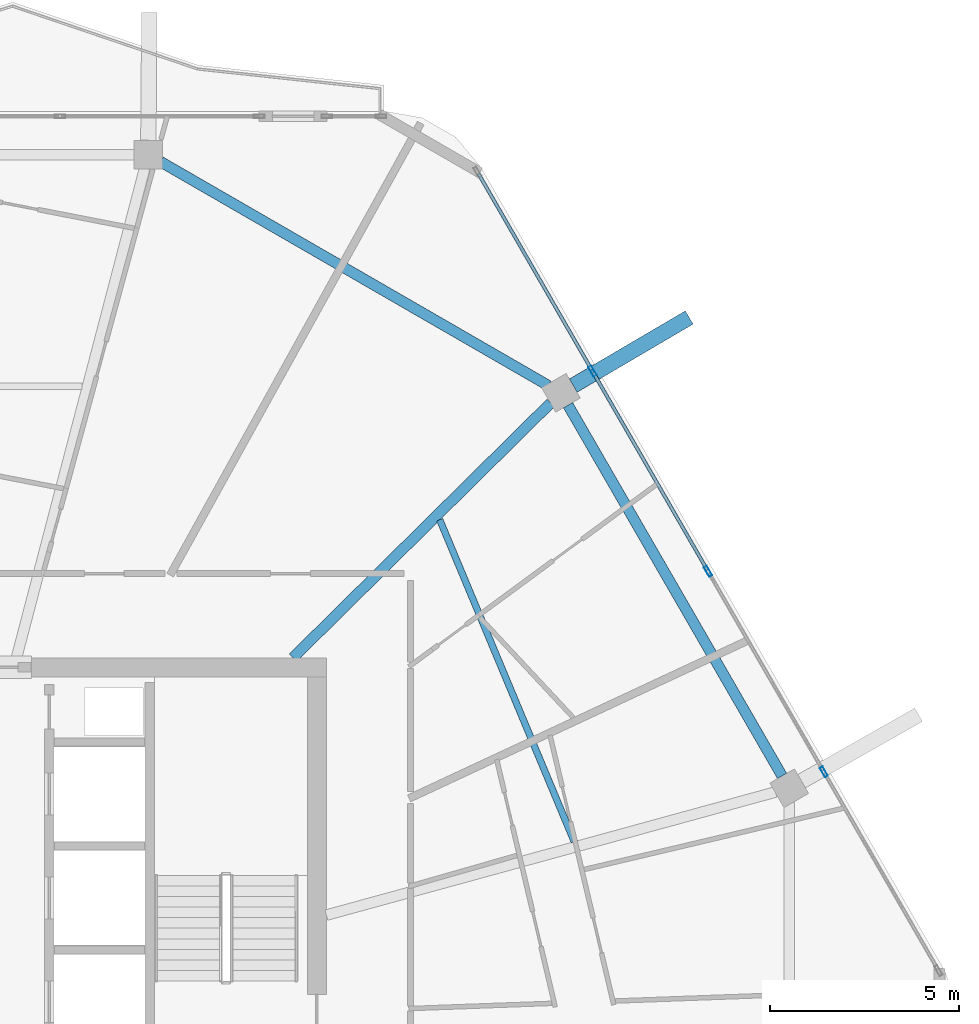
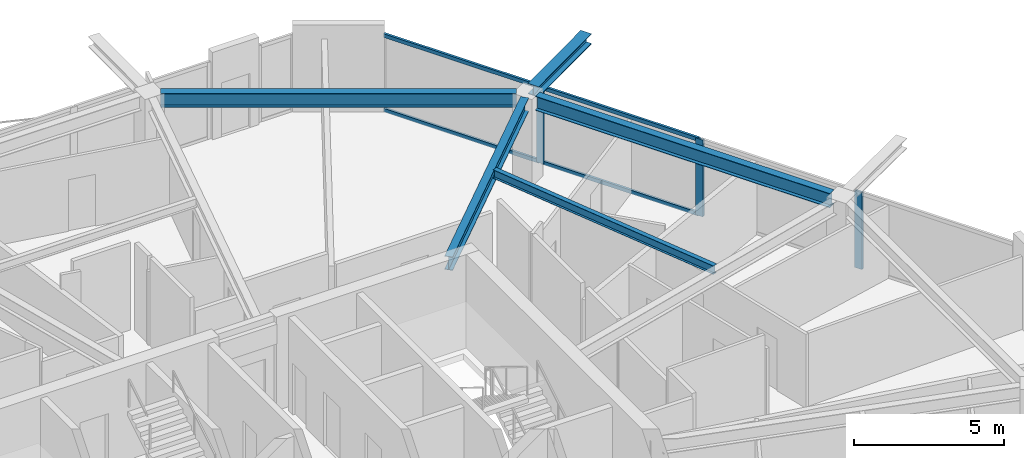
# One storey, part 11 of 21: 7 members, 5 beams, 1 element without a shape of its own.
"""IFC4 building model written with IfcOpenShell, lengths in metres."""

from ifc_helpers import new_model, si_unit, direction, frame, origin, origin_2d, place, context, subcontext, project, spatial, hollow_rectangle, i_section, extrude, material, material_profile, profile_set, type_object, element, aggregate, save


model = new_model("IFC4")

# Units and contexts
model_context = context("Model", 3, precision=1e-05, world=origin(), true_north=direction((0.0, 1.0)))
body_context = subcontext(model_context, "Body", "Model", "MODEL_VIEW")
ifc_project = project(units=[si_unit("LENGTHUNIT", "METRE"), si_unit("AREAUNIT", "SQUARE_METRE"), si_unit("VOLUMEUNIT", "CUBIC_METRE"), si_unit("PLANEANGLEUNIT", "RADIAN"), si_unit("MASSUNIT", "GRAM", prefix="KILO")], contexts=[model_context])

# Site, building, storey
site_placement = place(None, origin())
site = spatial("IfcSite", under=ifc_project, at=site_placement, CompositionType="ELEMENT")
building_placement = place(site_placement, origin())
building = spatial("IfcBuilding", under=site, at=building_placement, Name="Zuhravey Tower", CompositionType="ELEMENT")
storey_placement = place(building_placement, frame((0.0, 0.0, 334.800048828125)))
storey = spatial("IfcBuildingStorey", under=building, at=storey_placement, Name="L85", CompositionType="ELEMENT", Elevation=334.800048828125)

# Curtain wall, members
ifc_material_1 = material(Name="Thermally broken anodised aluminium", Category="aluminium")
curtain_wall_type = type_object("IfcCurtainWallType", Name="Zone 3-4 High-Rise Curtain Wall CW4", PredefinedType="NOTDEFINED", material=ifc_material_1)
curtain_wall_placement = place(storey_placement, origin())
curtain_wall = element("IfcCurtainWall", 1, at=curtain_wall_placement, inside=storey, type_object=curtain_wall_type, Name="L85 CW4 CW-L85-F1-1", PredefinedType="NOTDEFINED")
ifc_material_2 = material(Name="Anodised aluminium", Category="aluminium")
ifc_material_profile_1 = material_profile(ifc_material_2, hollow_rectangle(XDim=0.090087890625, YDim=0.284912109375, WallThickness=0.0048828125, at=origin_2d()), Name="ALU-RHS-90x285x5")
ifc_profile_set_1 = profile_set([ifc_material_profile_1], Name="Anodised aluminium")
member_type_1 = type_object("IfcMemberType", Name="Curtain-Wall Mullion 90x180", PredefinedType="MULLION", material=ifc_profile_set_1)
member_1_placement = place(storey_placement, frame((53.788818359375, 49.3369140625, 0.0), z_axis=(0.0, 0.0, 1.0), x_axis=(0.866025511541, 0.49999981336, 0.0)))
member_1 = element("IfcMember", 2, at=member_1_placement, type_object=member_type_1, Name="CW4 mullion 2", PredefinedType="MULLION", context=body_context, shape_type="SweptSolid", body=[
    extrude(hollow_rectangle(XDim=0.090087890625, YDim=0.284912109375, WallThickness=0.0048828125, at=origin_2d()), origin(), (0.0, 0.0, 1.0), 3.1220703125),
])
member_2_placement = place(storey_placement, frame((56.8486328125, 44.037109375, 0.0), z_axis=(0.0, 0.0, 1.0), x_axis=(0.866025511541, 0.49999981336, 0.0)))
member_2 = element("IfcMember", 3, at=member_2_placement, type_object=member_type_1, Name="CW4 mullion 3", PredefinedType="MULLION", context=body_context, shape_type="SweptSolid", body=[
    extrude(hollow_rectangle(XDim=0.090087890625, YDim=0.284912109375, WallThickness=0.0048828125, at=origin_2d()), origin(), (0.0, 0.0, 1.0), 3.1220703125),
])
member_3_placement = place(storey_placement, frame((59.90869140625, 38.7373046875, 0.0), z_axis=(0.0, 0.0, 1.0), x_axis=(0.866025511541, 0.49999981336, 0.0)))
member_3 = element("IfcMember", 4, at=member_3_placement, type_object=member_type_1, Name="CW4 mullion 4", PredefinedType="MULLION", context=body_context, shape_type="SweptSolid", body=[
    extrude(hollow_rectangle(XDim=0.090087890625, YDim=0.284912109375, WallThickness=0.0048828125, at=origin_2d()), origin(), (0.0, 0.0, 1.0), 3.1220703125),
])
ifc_material_profile_2 = material_profile(ifc_material_2, hollow_rectangle(XDim=0.090087890625, YDim=0.14990234375, WallThickness=0.0048828125, at=origin_2d()), Name="ALU-RHS-90x150x5")
ifc_profile_set_2 = profile_set([ifc_material_profile_2], Name="Anodised aluminium")
member_type_2 = type_object("IfcMemberType", Name="Curtain-Wall Transom 90x150", PredefinedType="USERDEFINED", material=ifc_profile_set_2)
member_4_placement = place(storey_placement, frame((50.774169921875, 54.55859375, 0.044921875), z_axis=(0.499982594807, -0.866035452444, 0.0), x_axis=(0.866035452444, 0.499982594807, 0.0)))
member_4 = element("IfcMember", 5, at=member_4_placement, type_object=member_type_2, Name="CW4 transom 1.1", ObjectType="TRANSOM", PredefinedType="USERDEFINED", context=body_context, shape_type="SweptSolid", body=[
    extrude(hollow_rectangle(XDim=0.090087890625, YDim=0.14990234375, WallThickness=0.0048828125, at=origin_2d()), origin(), (0.0, 0.0, 1.0), 5.984619140625),
])
member_5_placement = place(storey_placement, frame((50.774169921875, 54.55859375, 3.076904296875), z_axis=(0.499982594807, -0.866035452444, 0.0), x_axis=(0.866035452444, 0.499982594807, 0.0)))
member_5 = element("IfcMember", 6, at=member_5_placement, type_object=member_type_2, Name="CW4 transom 1.2", ObjectType="TRANSOM", PredefinedType="USERDEFINED", context=body_context, shape_type="SweptSolid", body=[
    extrude(hollow_rectangle(XDim=0.090087890625, YDim=0.14990234375, WallThickness=0.0048828125, at=origin_2d()), origin(), (0.0, 0.0, 1.0), 5.984619140625),
])
member_6_placement = place(storey_placement, frame((53.8115234375, 49.2978515625, 0.044921875), z_axis=(0.499971305196, -0.866041970103, 0.0), x_axis=(0.866041970103, 0.499971305196, 0.0)))
member_6 = element("IfcMember", 7, at=member_6_placement, type_object=member_type_2, Name="CW4 transom 2.1", ObjectType="TRANSOM", PredefinedType="USERDEFINED", context=body_context, shape_type="SweptSolid", body=[
    extrude(hollow_rectangle(XDim=0.090087890625, YDim=0.14990234375, WallThickness=0.0048828125, at=origin_2d()), origin(), (0.0, 0.0, 1.0), 6.029541015625),
])
member_7_placement = place(storey_placement, frame((53.8115234375, 49.2978515625, 3.076904296875), z_axis=(0.499971305196, -0.866041970103, 0.0), x_axis=(0.866041970103, 0.499971305196, 0.0)))
member_7 = element("IfcMember", 8, at=member_7_placement, type_object=member_type_2, Name="CW4 transom 2.2", ObjectType="TRANSOM", PredefinedType="USERDEFINED", context=body_context, shape_type="SweptSolid", body=[
    extrude(hollow_rectangle(XDim=0.090087890625, YDim=0.14990234375, WallThickness=0.0048828125, at=origin_2d()), origin(), (0.0, 0.0, 1.0), 6.029541015625),
])
aggregate(curtain_wall, [member_1, member_2, member_3, member_4, member_5, member_6, member_7])

# Beams
ifc_material_3 = material(Name="Steel SM460", Category="steel")
ifc_material_profile_3 = material_profile(ifc_material_3, i_section(OverallWidth=0.406982421875, OverallDepth=0.427978515625, WebThickness=0.02001953125, FlangeThickness=0.034912109375, at=origin_2d()), Name="H-428x407x20x35")
ifc_profile_set_3 = profile_set([ifc_material_profile_3], Name="Steel SM460")
beam_type_1 = type_object("IfcBeamType", Name="Exoskeleton Node Tie Beam H428x407", PredefinedType="BEAM", material=ifc_profile_set_3)
beam_1_placement = place(storey_placement, frame((53.281494140625, 48.95361328125, 3.3359375), z_axis=(0.862378642506, 0.506263841242, 0.0), x_axis=(-0.506263841242, 0.862378642506, 0.0)))
element("IfcBeam", 9, at=beam_1_placement, inside=storey, type_object=beam_type_1, Name="L85 Exoskeleton Node Tie NT1-02", PredefinedType="BEAM", context=body_context, shape_type="SweptSolid", body=[
    extrude(i_section(OverallWidth=0.406982421875, OverallDepth=0.427978515625, WebThickness=0.02001953125, FlangeThickness=0.034912109375, at=origin_2d()), origin(), (0.0, 0.0, 1.0), 3.55615234375),
])
ifc_material_4 = material(Name="Steel SM355", Category="steel")
ifc_material_profile_4 = material_profile(ifc_material_4, i_section(OverallWidth=0.280029296875, OverallDepth=0.580078125, WebThickness=0.011962890625, FlangeThickness=0.01904296875, at=origin_2d()), Name="H-580x280x12x19")
ifc_profile_set_4 = profile_set([ifc_material_profile_4], Name="Steel SM355")
beam_type_2 = type_object("IfcBeamType", Name="Perimeter Ring Beam H580x280", PredefinedType="BEAM", material=ifc_profile_set_4)
beam_2_placement = place(storey_placement, frame((58.804443359375, 38.629638671875, 3.260009765625), z_axis=(-0.499993743963, 0.866029015679, 0.0), x_axis=(-0.866029015679, -0.499993743963, 0.0)))
element("IfcBeam", 10, at=beam_2_placement, inside=storey, type_object=beam_type_2, Name="L85 PB4 BM-L85-PB-01", PredefinedType="BEAM", context=body_context, shape_type="SweptSolid", body=[
    extrude(i_section(OverallWidth=0.280029296875, OverallDepth=0.580078125, WebThickness=0.011962890625, FlangeThickness=0.01904296875, at=origin_2d()), origin(), (0.0, 0.0, 1.0), 11.321533203125),
])
beam_3_placement = place(storey_placement, frame((52.62744140625, 48.95068359375, 3.260009765625), z_axis=(-0.866030838723, 0.499990586292, 0.0), x_axis=(-0.499990586292, -0.866030838723, 0.0)))
element("IfcBeam", 11, at=beam_3_placement, inside=storey, type_object=beam_type_2, Name="L85 PB4 BM-L85-PB-02", PredefinedType="BEAM", context=body_context, shape_type="SweptSolid", body=[
    extrude(i_section(OverallWidth=0.280029296875, OverallDepth=0.580078125, WebThickness=0.011962890625, FlangeThickness=0.01904296875, at=origin_2d()), origin(), (0.0, 0.0, 1.0), 11.848876953125),
])
ifc_material_profile_5 = material_profile(ifc_material_4, i_section(OverallWidth=0.280029296875, OverallDepth=0.550048828125, WebThickness=0.010986328125, FlangeThickness=0.01806640625, at=origin_2d()), Name="H-550x280x11x18")
ifc_profile_set_5 = profile_set([ifc_material_profile_5], Name="Steel SM355")
beam_type_3 = type_object("IfcBeamType", Name="Radial Primary Girder H550x280", PredefinedType="BEAM", material=ifc_profile_set_5)
beam_4_placement = place(storey_placement, frame((45.865234375, 41.7529296875, 3.27490234375), z_axis=(0.711142578304, 0.703047817238, 0.0), x_axis=(-0.703047817238, 0.711142578304, 0.0)))
element("IfcBeam", 12, at=beam_4_placement, inside=storey, type_object=beam_type_3, Name="L85 RG4 BM-L85-RAD-02", PredefinedType="BEAM", context=body_context, shape_type="SweptSolid", body=[
    extrude(i_section(OverallWidth=0.280029296875, OverallDepth=0.550048828125, WebThickness=0.010986328125, FlangeThickness=0.01806640625, at=origin_2d()), origin(), (0.0, 0.0, 1.0), 9.591064453125),
])
ifc_material_profile_6 = material_profile(ifc_material_4, i_section(OverallWidth=0.175048828125, OverallDepth=0.35009765625, WebThickness=0.007080078125, FlangeThickness=0.010986328125, at=origin_2d()), Name="H-350x175x7x11")
ifc_profile_set_6 = profile_set([ifc_material_profile_6], Name="Steel SM355")
beam_type_4 = type_object("IfcBeamType", Name="Secondary Floor Joist H350x175", PredefinedType="JOIST", material=ifc_profile_set_6)
beam_5_placement = place(storey_placement, frame((53.307373046875, 36.891845703125, 3.375), z_axis=(-0.385657891576, 0.922641853953, 0.0), x_axis=(-0.922641853953, -0.385657891576, 0.0)))
element("IfcBeam", 13, at=beam_5_placement, inside=storey, type_object=beam_type_4, Name="L85 SJ3 BM-L85-SJ-01-1", PredefinedType="JOIST", context=body_context, shape_type="SweptSolid", body=[
    extrude(i_section(OverallWidth=0.175048828125, OverallDepth=0.35009765625, WebThickness=0.007080078125, FlangeThickness=0.010986328125, at=origin_2d()), origin(), (0.0, 0.0, 1.0), 9.226806640625),
])

save(model, "model.ifc")
